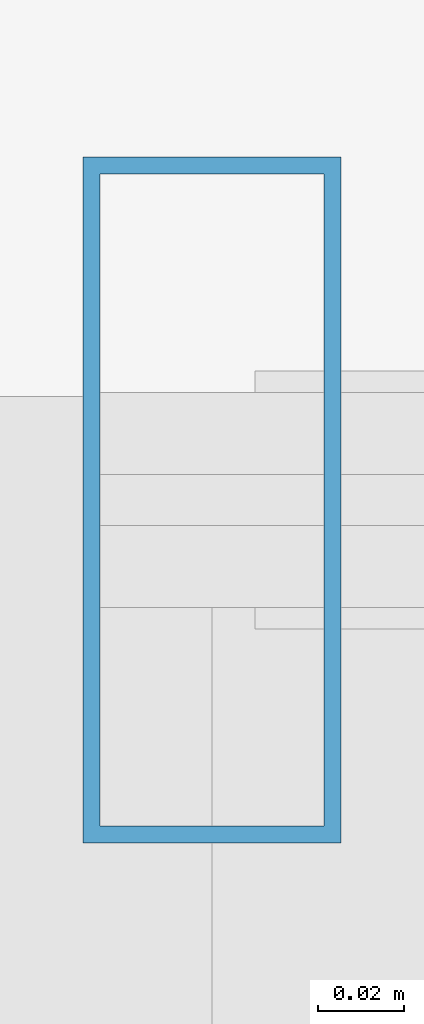
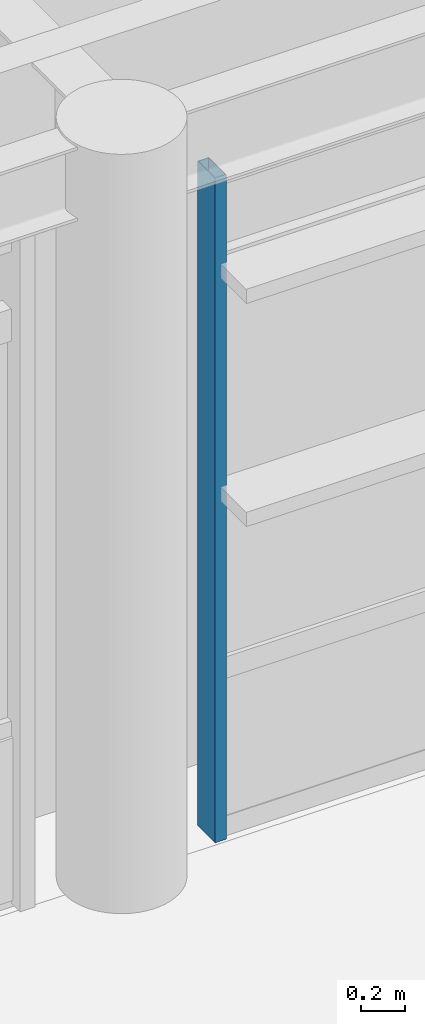
# One storey, part 73 of 168: 1 member, 1 element without a shape of its own.
"""IFC4 building model written with IfcOpenShell, lengths in metres."""

import ifcopenshell
import ifcopenshell.guid

model = None  # the IFC model being written
_history = None  # IfcOwnerHistory: only IFC2X3 demands one
_inside = {}  # id of a spatial element -> (the spatial element, [elements in it])
_under = {}  # id of a project, library or spatial element -> (it, [spatial elements below it])
_declared = {}  # id of a project -> (the project, [libraries it declares])
_typed = {}  # id of a type object -> (the type object, [elements of that type])
_made_of = {}  # id of a material, layer set ... -> (it, [elements and type objects made of it])


def new_model(schema):
    """Start an empty IFC model of exactly this schema.

    Asked for "IFC4X3", IfcOpenShell would pick the latest addendum, in which some entities
    have other attributes; the version numbers below select the first issue.
    IFC2X3 requires an IfcOwnerHistory on every rooted entity: one is made here for all.
    """
    global model, _history
    if schema == "IFC4X3":
        model = ifcopenshell.file(schema_version=(4, 3, 0, 0))
    else:
        model = ifcopenshell.file(schema=schema)
    _inside.clear()
    _under.clear()
    _declared.clear()
    _typed.clear()
    _made_of.clear()
    _history = None
    if model.schema == "IFC2X3":
        org = make("IfcOrganization", Name="unknown")
        user = make(
            "IfcPersonAndOrganization",
            ThePerson=make("IfcPerson", FamilyName="unknown"),
            TheOrganization=org,
        )
        app = make(
            "IfcApplication",
            ApplicationDeveloper=org,
            Version="unknown",
            ApplicationFullName="unknown",
            ApplicationIdentifier="unknown",
        )
        _history = make(
            "IfcOwnerHistory",
            OwningUser=user,
            OwningApplication=app,
            ChangeAction="ADDED",
            CreationDate=0,
        )
    return model


def make(cls, **values):
    """One entity of the class cls with the attributes given. An attribute that is None is left unset."""
    return model.create_entity(
        cls, **{name: value for name, value in values.items() if value is not None}
    )


def rooted(cls, **values):
    """An entity with a GlobalId (a new one), such as an element, a storey or a relation."""
    return make(cls, GlobalId=ifcopenshell.guid.new(), OwnerHistory=_history, **values)


def si_unit(unit_type, name, prefix=None):
    """IfcSIUnit, for example si_unit("LENGTHUNIT", "METRE", prefix="MILLI")."""
    return make("IfcSIUnit", UnitType=unit_type, Prefix=prefix, Name=name)


def assignment(units):
    """IfcUnitAssignment: the units of a project."""
    return None if units is None else make("IfcUnitAssignment", Units=units)


def point(xyz):
    """IfcCartesianPoint."""
    return None if xyz is None else make("IfcCartesianPoint", Coordinates=xyz)


def direction(xyz):
    """IfcDirection."""
    return None if xyz is None else make("IfcDirection", DirectionRatios=xyz)


def frame(location, z_axis=None, x_axis=None):
    """IfcAxis2Placement3D, a coordinate frame: its origin and axes. An axis left out is left unset."""
    return make(
        "IfcAxis2Placement3D",
        Location=point(location),
        Axis=direction(z_axis),
        RefDirection=direction(x_axis),
    )


def frame_2d(location, x_axis=None):
    """IfcAxis2Placement2D, a coordinate frame in the plane: its origin and x axis."""
    return make(
        "IfcAxis2Placement2D", Location=point(location), RefDirection=direction(x_axis)
    )


def origin():
    """The frame at (0, 0, 0) with its axes left unset."""
    return frame((0.0, 0.0, 0.0))


def origin_2d():
    """The frame at (0, 0) in the plane with its x axis left unset."""
    return frame_2d((0.0, 0.0))


def place(relative_to, where):
    """IfcLocalPlacement: puts the frame where relative to a parent placement (None: the world)."""
    return make(
        "IfcLocalPlacement", PlacementRelTo=relative_to, RelativePlacement=where
    )


def context(
    kind, dimensions, precision=None, world=None, true_north=None, identifier=None
):
    """IfcGeometricRepresentationContext, for example the 3D "Model" context."""
    return make(
        "IfcGeometricRepresentationContext",
        ContextIdentifier=identifier,
        ContextType=kind,
        CoordinateSpaceDimension=dimensions,
        Precision=precision,
        WorldCoordinateSystem=world,
        TrueNorth=true_north,
    )


def subcontext(parent, identifier, kind, view, scale=None):
    """IfcGeometricRepresentationSubContext, for example "Body" below "Model"."""
    return make(
        "IfcGeometricRepresentationSubContext",
        ContextIdentifier=identifier,
        ContextType=kind,
        ParentContext=parent,
        TargetScale=scale,
        TargetView=view,
    )


def project(units=None, contexts=None):
    """IfcProject with its units and contexts."""
    return rooted(
        "IfcProject",
        Name="project",
        RepresentationContexts=contexts,
        UnitsInContext=assignment(units),
    )


def spatial(cls, under=None, at=None, **own):
    """A site, building, storey or space (cls), placed at a placement, below another one or the project."""
    s = rooted(cls, ObjectPlacement=at, **own)
    if under is not None:
        _under.setdefault(under.id(), (under, []))[1].append(s)
    return s


def profile(cls, at=None, kind="AREA", **sizes):
    """A parametric profile (cls). Its sizes go by their IFC names, for example OverallWidth=200.0."""
    return make(cls, ProfileType=kind, Position=at, **sizes)


def hollow_rectangle(**sizes):
    """IfcRectangleHollowProfileDef."""
    return profile("IfcRectangleHollowProfileDef", **sizes)


def extrude(swept, where, along, depth):
    """IfcExtrudedAreaSolid: the profile swept, set in the frame where, extruded along a direction by depth."""
    return make(
        "IfcExtrudedAreaSolid",
        SweptArea=swept,
        Position=where,
        ExtrudedDirection=direction(along),
        Depth=depth,
    )


def shape(context_of_items, identifier, shape_type, items):
    """IfcShapeRepresentation: the items that make up one representation, for example the "Body"."""
    return make(
        "IfcShapeRepresentation",
        ContextOfItems=context_of_items,
        RepresentationIdentifier=identifier,
        RepresentationType=shape_type,
        Items=items,
    )


def material(Name=None, Category=None):
    """IfcMaterial."""
    return make("IfcMaterial", Name=Name, Category=Category)


def material_profile(
    of_material, cross_section, Name=None, Category=None, Priority=None
):
    """IfcMaterialProfile: a cross section and its material."""
    return make(
        "IfcMaterialProfile",
        Name=Name,
        Material=of_material,
        Profile=cross_section,
        Priority=Priority,
        Category=Category,
    )


def profile_set(profiles, Name=None, composite=None):
    """IfcMaterialProfileSet."""
    return make(
        "IfcMaterialProfileSet",
        Name=Name,
        MaterialProfiles=profiles,
        CompositeProfile=composite,
    )


def made_of(thing, what):
    """Note that an element or type object is made of a material, layer set ...; save() writes the relation."""
    if what is not None:
        _made_of.setdefault(what.id(), (what, []))[1].append(thing)
    return thing


def type_object(cls, material=None, **own):
    """A type object (cls), such as IfcWallType, which elements share."""
    return made_of(rooted(cls, **own), material)


def element(
    cls,
    number,
    at=None,
    inside=None,
    cuts=None,
    type_object=None,
    material=None,
    context=None,
    identifier="Body",
    shape_type=None,
    held_by="IfcProductDefinitionShape",
    body=None,
    shapes=None,
    **own,
):
    """One element of the class cls, such as IfcWall. Its Tag is "e" and its number.

    at: its placement. inside: the storey or other place that contains it. cuts: it is an
    opening in that element (IfcRelVoidsElement). A single representation is given by context,
    identifier, shape_type and body (its items); several are given by shapes. held_by: the class
    of the entity that holds the representations. save() writes the other relations.
    """
    e = rooted(cls, Tag="e%d" % number, ObjectPlacement=at, **own)
    if body is not None:
        shapes = [shape(context, identifier, shape_type, body)]
    if shapes is not None:
        e.Representation = make(held_by, Representations=shapes)
    if inside is not None:
        _inside.setdefault(inside.id(), (inside, []))[1].append(e)
    if cuts is not None:
        rooted(
            "IfcRelVoidsElement", RelatingBuildingElement=cuts, RelatedOpeningElement=e
        )
    if type_object is not None:
        _typed.setdefault(type_object.id(), (type_object, []))[1].append(e)
    return made_of(e, material)


def aggregate(whole, parts):
    """IfcRelAggregates: a whole, such as a stair, and the parts it consists of."""
    return rooted("IfcRelAggregates", RelatingObject=whole, RelatedObjects=parts)


def save(model, path):
    """Write the relations noted so far, then the file.

    IfcRelAggregates (storeys below a building ...), IfcRelContainedInSpatialStructure (elements
    in a storey), IfcRelDefinesByType, IfcRelAssociatesMaterial and IfcRelDeclares: one each for
    every whole, place, type object, material and project.
    """
    for whole, parts in _under.values():
        aggregate(whole, parts)
    for where, things in _inside.values():
        rooted(
            "IfcRelContainedInSpatialStructure",
            RelatedElements=things,
            RelatingStructure=where,
        )
    for kind, things in _typed.values():
        rooted("IfcRelDefinesByType", RelatedObjects=things, RelatingType=kind)
    for what, things in _made_of.values():
        rooted("IfcRelAssociatesMaterial", RelatedObjects=things, RelatingMaterial=what)
    for by, libraries in _declared.values():
        rooted("IfcRelDeclares", RelatingContext=by, RelatedDefinitions=libraries)
    model.write(path)


model = new_model("IFC4")

# Units and contexts
model_context = context("Model", 3, precision=1e-05, world=origin(), true_north=direction((0.0, 1.0)))
body_context = subcontext(model_context, "Body", "Model", "MODEL_VIEW")
ifc_project = project(units=[si_unit("LENGTHUNIT", "METRE"), si_unit("AREAUNIT", "SQUARE_METRE"), si_unit("VOLUMEUNIT", "CUBIC_METRE"), si_unit("PLANEANGLEUNIT", "RADIAN"), si_unit("MASSUNIT", "GRAM", prefix="KILO"), si_unit("THERMODYNAMICTEMPERATUREUNIT", "KELVIN"), si_unit("POWERUNIT", "WATT")], contexts=[model_context])

# Site, building, storey
site_placement = place(None, origin())
site = spatial("IfcSite", under=ifc_project, at=site_placement, CompositionType="ELEMENT")
building_placement = place(site_placement, origin())
building = spatial("IfcBuilding", under=site, at=building_placement, Name="Tepalcoro Natatorium and Aquatics Centre", CompositionType="ELEMENT")
storey_placement = place(building_placement, frame((0.0, 0.0, 10.199951171875)))
storey = spatial("IfcBuildingStorey", under=building, at=storey_placement, Name="L02", CompositionType="ELEMENT", Elevation=10.199951171875)

# Curtain wall, member
ifc_material = material(Name="Bronze-Anodised Extruded Aluminium Alloy EN AW-6063 T6", Category="aluminium")
curtain_wall_type = type_object("IfcCurtainWallType", Name="CW_V5_UPPER", PredefinedType="USERDEFINED", material=ifc_material)
curtain_wall_placement = place(storey_placement, origin())
curtain_wall = element("IfcCurtainWall", 1, at=curtain_wall_placement, inside=storey, type_object=curtain_wall_type, Name="V4 L02 S Unitised Curtain Wall Bay 5", ObjectType="FACETED SOLAR GLAZING", PredefinedType="USERDEFINED")
ifc_material_profile = material_profile(ifc_material, hollow_rectangle(XDim=0.06005859375, YDim=0.159912109375, WallThickness=0.00390625, at=origin_2d()), Name="AL60X160X4")
ifc_profile_set = profile_set([ifc_material_profile], Name="Bronze-Anodised Extruded Aluminium Alloy EN AW-6063 T6")
member_type = type_object("IfcMemberType", Name="CW_MUL_60x160", PredefinedType="MULLION", material=ifc_profile_set)
member_placement = place(storey_placement, frame((47.02001953125, 94.0712890625, 0.02001953125), z_axis=(0.0, 0.0, 1.0), x_axis=(1.0, 0.0, 0.0)))
member = element("IfcMember", 2, at=member_placement, type_object=member_type, Name="CW_V5_UPPER Curtain Wall Mullion", PredefinedType="MULLION", context=body_context, shape_type="SweptSolid", body=[
    extrude(hollow_rectangle(XDim=0.06005859375, YDim=0.159912109375, WallThickness=0.00390625, at=origin_2d()), origin(), (0.0, 0.0, 1.0), 3.719970703125),
])
aggregate(curtain_wall, [member])

save(model, "model.ifc")
